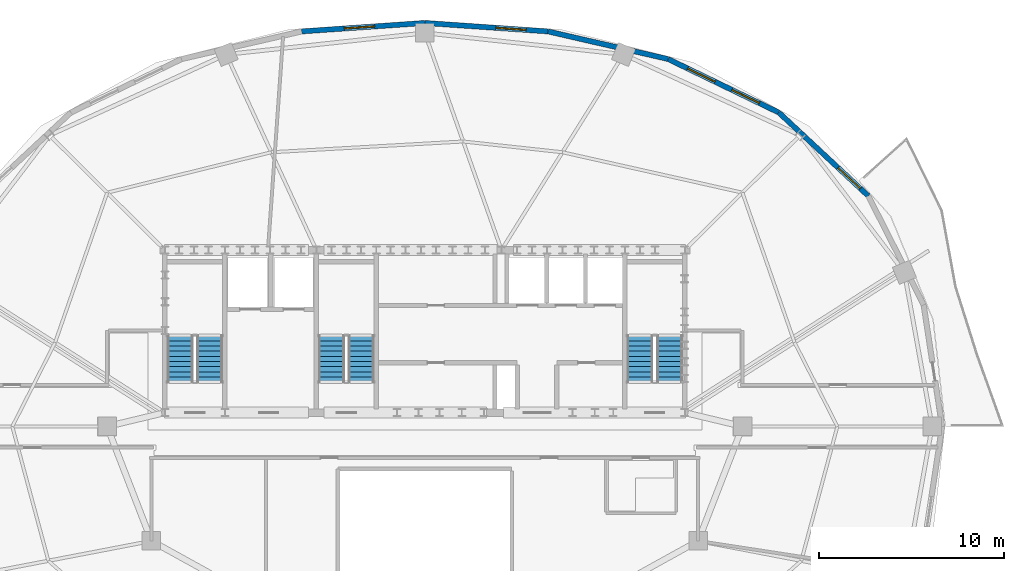
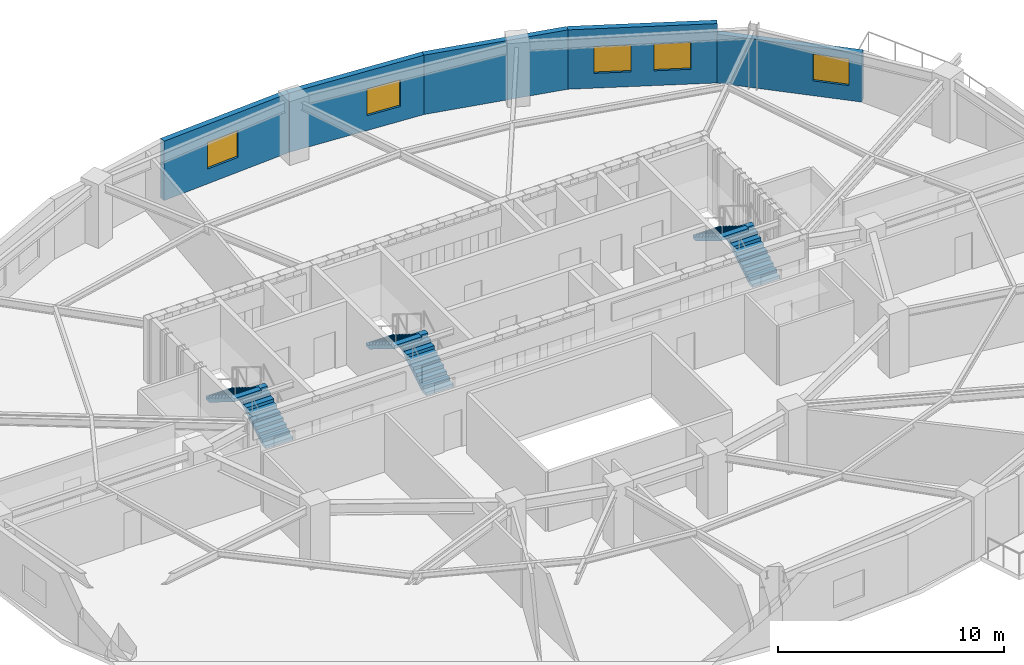
# One storey, part 6 of 11: 6 stair flights, 5 walls, 5 windows, 5 openings, 3 elements without a shape of their own.
"""IFC4 building model written with IfcOpenShell, lengths in metres."""

from ifc_helpers import new_model, si_unit, direction, frame, frame_2d, origin, place, context, subcontext, project, spatial, polyline, rectangle, outline, extrude, material, layer, layer_set, type_object, element, fill, aggregate, save


model = new_model("IFC4")

# Units and contexts
model_context = context("Model", 3, precision=1e-05, world=origin(), true_north=direction((0.0, 1.0)))
body_context = subcontext(model_context, "Body", "Model", "MODEL_VIEW")
ifc_project = project(units=[si_unit("LENGTHUNIT", "METRE"), si_unit("AREAUNIT", "SQUARE_METRE"), si_unit("VOLUMEUNIT", "CUBIC_METRE"), si_unit("PLANEANGLEUNIT", "RADIAN"), si_unit("MASSUNIT", "GRAM", prefix="KILO")], contexts=[model_context])

# Site, building, storey
site_placement = place(None, origin())
site = spatial("IfcSite", under=ifc_project, at=site_placement, CompositionType="ELEMENT")
building_placement = place(site_placement, origin())
building = spatial("IfcBuilding", under=site, at=building_placement, Name="Haldorwick Loom Tower", CompositionType="ELEMENT")
storey_placement = place(building_placement, frame((0.0, 0.0, 230.550048828125)))
storey = spatial("IfcBuildingStorey", under=building, at=storey_placement, Name="L62", CompositionType="ELEMENT", Elevation=230.550048828125)

# Wall, opening, window
ifc_material_1 = material(Name="Pressed Clay Face Brick and Insulated Masonry Backup Assembly", Category="masonry")
ifc_layer = layer(ifc_material_1, 0.280029296875, Name="Pressed Clay Face Brick and Insulated Masonry Backup Assembly", Category="masonry")
ifc_layer_set = layer_set([ifc_layer], Name="Pressed Clay Face Brick and Insulated Masonry Backup Assembly")
wall_type = type_object("IfcWallType", Name="ARC-WL-EXT280", PredefinedType="STANDARD", material=ifc_layer_set)
wall_1_placement = place(storey_placement, frame((60.005615234375, 38.4853515625, 0.0), z_axis=(0.0, 0.0, 1.0), x_axis=(-0.731833707499, 0.681483253329, 0.0)))
wall_1 = element("IfcWall", 1, at=wall_1_placement, inside=storey, type_object=wall_type, Name="L62 Brick Pier and Spandrel Wall 3", PredefinedType="STANDARD", context=body_context, shape_type="SweptSolid", body=[
    extrude(rectangle(XDim=6.61865234375, YDim=0.280029296875, at=frame_2d((3.309326171875, 0.0))), origin(), (0.0, 0.0, 1.0), 2.640869140625),
])
opening_1_placement = place(wall_1_placement, frame((0.58154296875, 0.0, 0.800048828125)))
opening_1 = element("IfcOpeningElement", 2, at=opening_1_placement, cuts=wall_1, Name="Opening W-01B", PredefinedType="OPENING", context=body_context, shape_type="SweptSolid", body=[
    extrude(rectangle(XDim=1.64990234375, YDim=1.449951171875, at=frame_2d((0.824951171875, 0.72509765625))), frame((0.0, 0.14990234375, 0.0), z_axis=(0.0, -1.0, 0.0), x_axis=(1.0, 0.0, 0.0)), (0.0, 0.0, 1.0), 0.300048828125),
])
ifc_material_2 = material(Name="Triple-Glazed Low-E Argon Insulated Glazing Unit", Category="glass")
window_type = type_object("IfcWindowType", Name="ARC-WIN-W165", PartitioningType="SINGLE_PANEL", PredefinedType="WINDOW", material=ifc_material_2)
window_1_placement = place(opening_1_placement, origin())
window_1 = element("IfcWindow", 3, at=window_1_placement, inside=storey, type_object=window_type, Name="L62 Deep-Set Zone 7A Window 3", OverallHeight=1.449951171875, OverallWidth=1.64990234375, PartitioningType="SINGLE_PANEL", PredefinedType="WINDOW", context=body_context, shape_type="SweptSolid", body=[
    extrude(rectangle(XDim=1.64990234375, YDim=1.449951171875, at=frame_2d((0.824951171875, 0.72509765625))), frame((0.0, 0.030029296875, 0.0), z_axis=(0.0, -1.0, 0.0), x_axis=(1.0, 0.0, 0.0)), (0.0, 0.0, 1.0), 0.06005859375),
])
fill(opening_1, window_1)

# Wall, openings, windows
wall_2_placement = place(storey_placement, frame((55.161865234375, 42.995849609375, 0.0), z_axis=(0.0, 0.0, 1.0), x_axis=(-0.900371236029, 0.435122554381, 0.0)))
wall_2 = element("IfcWall", 4, at=wall_2_placement, inside=storey, type_object=wall_type, Name="L62 Brick Pier and Spandrel Wall 4", PredefinedType="STANDARD", context=body_context, shape_type="SweptSolid", body=[
    extrude(rectangle(XDim=6.6533203125, YDim=0.280029296875, at=frame_2d((3.32666015625, 0.0))), origin(), (0.0, 0.0, 1.0), 3.2099609375),
])
opening_2_placement = place(wall_2_placement, frame((1.1708984375, 0.0, 0.800048828125)))
opening_2 = element("IfcOpeningElement", 5, at=opening_2_placement, cuts=wall_2, Name="Opening W-01B", PredefinedType="OPENING", context=body_context, shape_type="SweptSolid", body=[
    extrude(rectangle(XDim=1.64990234375, YDim=1.449951171875, at=frame_2d((0.824951171875, 0.72509765625))), frame((0.0, 0.14990234375, 0.0), z_axis=(0.0, -1.0, 0.0), x_axis=(1.0, 0.0, 0.0)), (0.0, 0.0, 1.0), 0.300048828125),
])
opening_3_placement = place(wall_2_placement, frame((3.832275390625, 0.0, 0.800048828125)))
opening_3 = element("IfcOpeningElement", 6, at=opening_3_placement, cuts=wall_2, Name="Opening W-01B", PredefinedType="OPENING", context=body_context, shape_type="SweptSolid", body=[
    extrude(rectangle(XDim=1.64990234375, YDim=1.449951171875, at=frame_2d((0.824951171875, 0.72509765625))), frame((0.0, 0.14990234375, 0.0), z_axis=(0.0, -1.0, 0.0), x_axis=(1.0, 0.0, 0.0)), (0.0, 0.0, 1.0), 0.300048828125),
])
window_2_placement = place(opening_2_placement, origin())
window_2 = element("IfcWindow", 7, at=window_2_placement, inside=storey, type_object=window_type, Name="L62 Deep-Set Zone 7A Window 4", OverallHeight=1.449951171875, OverallWidth=1.64990234375, PartitioningType="SINGLE_PANEL", PredefinedType="WINDOW", context=body_context, shape_type="SweptSolid", body=[
    extrude(rectangle(XDim=1.64990234375, YDim=1.449951171875, at=frame_2d((0.824951171875, 0.72509765625))), frame((0.0, 0.030029296875, 0.0), z_axis=(0.0, -1.0, 0.0), x_axis=(1.0, 0.0, 0.0)), (0.0, 0.0, 1.0), 0.06005859375),
])
fill(opening_2, window_2)
window_3_placement = place(opening_3_placement, origin())
window_3 = element("IfcWindow", 8, at=window_3_placement, inside=storey, type_object=window_type, Name="L62 Deep-Set Zone 7A Window 4", OverallHeight=1.449951171875, OverallWidth=1.64990234375, PartitioningType="SINGLE_PANEL", PredefinedType="WINDOW", context=body_context, shape_type="SweptSolid", body=[
    extrude(rectangle(XDim=1.64990234375, YDim=1.449951171875, at=frame_2d((0.824951171875, 0.72509765625))), frame((0.0, 0.030029296875, 0.0), z_axis=(0.0, -1.0, 0.0), x_axis=(1.0, 0.0, 0.0)), (0.0, 0.0, 1.0), 0.06005859375),
])
fill(opening_3, window_3)

# Wall
wall_3_placement = place(storey_placement, frame((49.17138671875, 45.890869140625, 0.0), z_axis=(0.0, 0.0, 1.0), x_axis=(-0.974557343474, 0.224138315065, 0.0)))
element("IfcWall", 9, at=wall_3_placement, inside=storey, type_object=wall_type, Name="L62 Brick Pier and Spandrel Wall 5", PredefinedType="STANDARD", context=body_context, shape_type="SweptSolid", body=[
    extrude(rectangle(XDim=6.676025390625, YDim=0.280029296875, at=frame_2d((3.337890625, 0.0))), origin(), (0.0, 0.0, 1.0), 3.2099609375),
])

# Wall, opening, window
wall_4_placement = place(storey_placement, frame((42.665283203125, 47.38720703125, 0.0), z_axis=(0.0, 0.0, 1.0), x_axis=(-0.99764992135, 0.068517402386, 0.0)))
wall_4 = element("IfcWall", 10, at=wall_4_placement, inside=storey, type_object=wall_type, Name="L62 Brick Pier and Spandrel Wall 6", PredefinedType="STANDARD", context=body_context, shape_type="SweptSolid", body=[
    extrude(rectangle(XDim=6.680908203125, YDim=0.280029296875, at=frame_2d((3.34033203125, 0.0))), origin(), (0.0, 0.0, 1.0), 3.2099609375),
])
opening_4_placement = place(wall_4_placement, frame((1.17919921875, 0.0, 0.800048828125)))
opening_4 = element("IfcOpeningElement", 11, at=opening_4_placement, cuts=wall_4, Name="Opening W-01B", PredefinedType="OPENING", context=body_context, shape_type="SweptSolid", body=[
    extrude(rectangle(XDim=1.64990234375, YDim=1.449951171875, at=frame_2d((0.824951171875, 0.72509765625))), frame((0.0, 0.14990234375, 0.0), z_axis=(0.0, -1.0, 0.0), x_axis=(1.0, 0.0, 0.0)), (0.0, 0.0, 1.0), 0.300048828125),
])
window_4_placement = place(opening_4_placement, origin())
window_4 = element("IfcWindow", 12, at=window_4_placement, inside=storey, type_object=window_type, Name="L62 Deep-Set Zone 7A Window 6", OverallHeight=1.449951171875, OverallWidth=1.64990234375, PartitioningType="SINGLE_PANEL", PredefinedType="WINDOW", context=body_context, shape_type="SweptSolid", body=[
    extrude(rectangle(XDim=1.64990234375, YDim=1.449951171875, at=frame_2d((0.824951171875, 0.72509765625))), frame((0.0, 0.030029296875, 0.0), z_axis=(0.0, -1.0, 0.0), x_axis=(1.0, 0.0, 0.0)), (0.0, 0.0, 1.0), 0.06005859375),
])
fill(opening_4, window_4)

wall_5_placement = place(storey_placement, frame((36.0, 47.844970703125, 0.0), z_axis=(0.0, 0.0, 1.0), x_axis=(-0.99764992135, -0.068517402386, 0.0)))
wall_5 = element("IfcWall", 13, at=wall_5_placement, inside=storey, type_object=wall_type, Name="L62 Brick Pier and Spandrel Wall 7", PredefinedType="STANDARD", context=body_context, shape_type="SweptSolid", body=[
    extrude(rectangle(XDim=6.680908203125, YDim=0.280029296875, at=frame_2d((3.34033203125, 0.0))), origin(), (0.0, 0.0, 1.0), 3.2099609375),
])
opening_5_placement = place(wall_5_placement, frame((2.72412109375, 0.0, 0.800048828125)))
opening_5 = element("IfcOpeningElement", 14, at=opening_5_placement, cuts=wall_5, Name="Opening W-01B", PredefinedType="OPENING", context=body_context, shape_type="SweptSolid", body=[
    extrude(rectangle(XDim=1.64990234375, YDim=1.449951171875, at=frame_2d((0.824951171875, 0.72509765625))), frame((0.0, 0.14990234375, 0.0), z_axis=(0.0, -1.0, 0.0), x_axis=(1.0, 0.0, 0.0)), (0.0, 0.0, 1.0), 0.300048828125),
])
window_5_placement = place(opening_5_placement, origin())
window_5 = element("IfcWindow", 15, at=window_5_placement, inside=storey, type_object=window_type, Name="L62 Deep-Set Zone 7A Window 7", OverallHeight=1.449951171875, OverallWidth=1.64990234375, PartitioningType="SINGLE_PANEL", PredefinedType="WINDOW", context=body_context, shape_type="SweptSolid", body=[
    extrude(rectangle(XDim=1.64990234375, YDim=1.449951171875, at=frame_2d((0.824951171875, 0.72509765625))), frame((0.0, 0.030029296875, 0.0), z_axis=(0.0, -1.0, 0.0), x_axis=(1.0, 0.0, 0.0)), (0.0, 0.0, 1.0), 0.06005859375),
])
fill(opening_5, window_5)

# Stair, stair flights
ifc_material_3 = material(Name="Concrete C40 (40 MPa)", Category="concrete")
stair_type = type_object("IfcStairType", Name="STR-STR-CORE", PredefinedType="HALF_TURN_STAIR", material=ifc_material_3)
stair_1_placement = place(storey_placement, origin())
stair_1 = element("IfcStair", 16, at=stair_1_placement, inside=storey, type_object=stair_type, Name="L62 Exit Stair ST-01", PredefinedType="HALF_TURN_STAIR")
stair_flight_type = type_object("IfcStairFlightType", Name="STR-STF-1250", PredefinedType="STRAIGHT", material=ifc_material_3)
stair_flight_1_placement = place(storey_placement, frame((24.35009765625, 28.39990234375, 0.0), z_axis=(0.0, 0.0, 1.0), x_axis=(0.0, 1.0, 0.0)))
stair_flight_1 = element("IfcStairFlight", 17, at=stair_flight_1_placement, type_object=stair_flight_type, Name="ST-01 flight 1", NumberOfRisers=10, NumberOfTreads=9, PredefinedType="STRAIGHT", RiserHeight=0.1725, TreadLength=0.28, context=body_context, shape_type="SweptSolid", body=[
    extrude(outline(polyline([(0.0, 0.0), (0.0, 0.172607421875), (0.280029296875, 0.172607421875), (0.280029296875, 0.344970703125), (0.56005859375, 0.344970703125), (0.56005859375, 0.517578125), (0.840087890625, 0.517578125), (0.840087890625, 0.68994140625), (1.1201171875, 0.68994140625), (1.1201171875, 0.862548828125), (1.39990234375, 0.862548828125), (1.39990234375, 1.034912109375), (1.679931640625, 1.034912109375), (1.679931640625, 1.20751953125), (1.9599609375, 1.20751953125), (1.9599609375, 1.3798828125), (2.239990234375, 1.3798828125), (2.239990234375, 1.552490234375), (2.52001953125, 1.552490234375), (2.52001953125, 1.72509765625), (2.52001953125, 1.37646484375), (0.285888671875, 0.0), (0.0, 0.0)])), frame((0.0, 0.699951171875, 0.0), z_axis=(0.0, -1.0, 0.0), x_axis=(1.0, 0.0, 0.0)), (0.0, 0.0, 1.0), 1.39990234375),
])
stair_flight_2_placement = place(storey_placement, frame((22.75, 30.919921875, 1.724853515625), z_axis=(0.0, 0.0, 1.0), x_axis=(0.0, -1.0, 0.0)))
stair_flight_2 = element("IfcStairFlight", 18, at=stair_flight_2_placement, type_object=stair_flight_type, Name="ST-01 flight 2", NumberOfRisers=10, NumberOfTreads=9, PredefinedType="STRAIGHT", RiserHeight=0.1725, TreadLength=0.28, context=body_context, shape_type="SweptSolid", body=[
    extrude(outline(polyline([(0.0, 0.0), (0.0, 0.172607421875), (0.280029296875, 0.172607421875), (0.280029296875, 0.344970703125), (0.56005859375, 0.344970703125), (0.56005859375, 0.517578125), (0.840087890625, 0.517578125), (0.840087890625, 0.68994140625), (1.1201171875, 0.68994140625), (1.1201171875, 0.862548828125), (1.39990234375, 0.862548828125), (1.39990234375, 1.034912109375), (1.679931640625, 1.034912109375), (1.679931640625, 1.20751953125), (1.9599609375, 1.20751953125), (1.9599609375, 1.3798828125), (2.239990234375, 1.3798828125), (2.239990234375, 1.552490234375), (2.52001953125, 1.552490234375), (2.52001953125, 1.72509765625), (2.52001953125, 1.37646484375), (0.285888671875, 0.0), (0.0, 0.0)])), frame((0.0, 0.699951171875, 0.0), z_axis=(0.0, -1.0, 0.0), x_axis=(1.0, 0.0, 0.0)), (0.0, 0.0, 1.0), 1.39990234375),
])
aggregate(stair_1, [stair_flight_1, stair_flight_2])

stair_2_placement = place(storey_placement, origin())
stair_2 = element("IfcStair", 19, at=stair_2_placement, inside=storey, type_object=stair_type, Name="L62 Exit Stair ST-02", PredefinedType="HALF_TURN_STAIR")
stair_flight_3_placement = place(storey_placement, frame((49.25, 28.39990234375, 0.0), z_axis=(0.0, 0.0, 1.0), x_axis=(0.0, 1.0, 0.0)))
stair_flight_3 = element("IfcStairFlight", 20, at=stair_flight_3_placement, type_object=stair_flight_type, Name="ST-02 flight 1", NumberOfRisers=10, NumberOfTreads=9, PredefinedType="STRAIGHT", RiserHeight=0.1725, TreadLength=0.28, context=body_context, shape_type="SweptSolid", body=[
    extrude(outline(polyline([(0.0, 0.0), (0.0, 0.172607421875), (0.280029296875, 0.172607421875), (0.280029296875, 0.344970703125), (0.56005859375, 0.344970703125), (0.56005859375, 0.517578125), (0.840087890625, 0.517578125), (0.840087890625, 0.68994140625), (1.1201171875, 0.68994140625), (1.1201171875, 0.862548828125), (1.39990234375, 0.862548828125), (1.39990234375, 1.034912109375), (1.679931640625, 1.034912109375), (1.679931640625, 1.20751953125), (1.9599609375, 1.20751953125), (1.9599609375, 1.3798828125), (2.239990234375, 1.3798828125), (2.239990234375, 1.552490234375), (2.52001953125, 1.552490234375), (2.52001953125, 1.72509765625), (2.52001953125, 1.37646484375), (0.285888671875, 0.0), (0.0, 0.0)])), frame((0.0, 0.699951171875, 0.0), z_axis=(0.0, -1.0, 0.0), x_axis=(1.0, 0.0, 0.0)), (0.0, 0.0, 1.0), 1.39990234375),
])
stair_flight_4_placement = place(storey_placement, frame((47.64990234375, 30.919921875, 1.724853515625), z_axis=(0.0, 0.0, 1.0), x_axis=(0.0, -1.0, 0.0)))
stair_flight_4 = element("IfcStairFlight", 21, at=stair_flight_4_placement, type_object=stair_flight_type, Name="ST-02 flight 2", NumberOfRisers=10, NumberOfTreads=9, PredefinedType="STRAIGHT", RiserHeight=0.1725, TreadLength=0.28, context=body_context, shape_type="SweptSolid", body=[
    extrude(outline(polyline([(0.0, 0.0), (0.0, 0.172607421875), (0.280029296875, 0.172607421875), (0.280029296875, 0.344970703125), (0.56005859375, 0.344970703125), (0.56005859375, 0.517578125), (0.840087890625, 0.517578125), (0.840087890625, 0.68994140625), (1.1201171875, 0.68994140625), (1.1201171875, 0.862548828125), (1.39990234375, 0.862548828125), (1.39990234375, 1.034912109375), (1.679931640625, 1.034912109375), (1.679931640625, 1.20751953125), (1.9599609375, 1.20751953125), (1.9599609375, 1.3798828125), (2.239990234375, 1.3798828125), (2.239990234375, 1.552490234375), (2.52001953125, 1.552490234375), (2.52001953125, 1.72509765625), (2.52001953125, 1.37646484375), (0.285888671875, 0.0), (0.0, 0.0)])), frame((0.0, 0.699951171875, 0.0), z_axis=(0.0, -1.0, 0.0), x_axis=(1.0, 0.0, 0.0)), (0.0, 0.0, 1.0), 1.39990234375),
])
aggregate(stair_2, [stair_flight_3, stair_flight_4])

stair_3_placement = place(storey_placement, origin())
stair_3 = element("IfcStair", 22, at=stair_3_placement, inside=storey, type_object=stair_type, Name="L62 Exit Stair ST-03", PredefinedType="HALF_TURN_STAIR")
stair_flight_5_placement = place(storey_placement, frame((32.550048828125, 28.39990234375, 0.0), z_axis=(0.0, 0.0, 1.0), x_axis=(0.0, 1.0, 0.0)))
stair_flight_5 = element("IfcStairFlight", 23, at=stair_flight_5_placement, type_object=stair_flight_type, Name="ST-03 flight 1", NumberOfRisers=10, NumberOfTreads=9, PredefinedType="STRAIGHT", RiserHeight=0.1725, TreadLength=0.28, context=body_context, shape_type="SweptSolid", body=[
    extrude(outline(polyline([(0.0, 0.0), (0.0, 0.172607421875), (0.280029296875, 0.172607421875), (0.280029296875, 0.344970703125), (0.56005859375, 0.344970703125), (0.56005859375, 0.517578125), (0.840087890625, 0.517578125), (0.840087890625, 0.68994140625), (1.1201171875, 0.68994140625), (1.1201171875, 0.862548828125), (1.39990234375, 0.862548828125), (1.39990234375, 1.034912109375), (1.679931640625, 1.034912109375), (1.679931640625, 1.20751953125), (1.9599609375, 1.20751953125), (1.9599609375, 1.3798828125), (2.239990234375, 1.3798828125), (2.239990234375, 1.552490234375), (2.52001953125, 1.552490234375), (2.52001953125, 1.72509765625), (2.52001953125, 1.37646484375), (0.285888671875, 0.0), (0.0, 0.0)])), frame((0.0, 0.699951171875, 0.0), z_axis=(0.0, -1.0, 0.0), x_axis=(1.0, 0.0, 0.0)), (0.0, 0.0, 1.0), 1.39990234375),
])
stair_flight_6_placement = place(storey_placement, frame((30.949951171875, 30.919921875, 1.724853515625), z_axis=(0.0, 0.0, 1.0), x_axis=(0.0, -1.0, 0.0)))
stair_flight_6 = element("IfcStairFlight", 24, at=stair_flight_6_placement, type_object=stair_flight_type, Name="ST-03 flight 2", NumberOfRisers=10, NumberOfTreads=9, PredefinedType="STRAIGHT", RiserHeight=0.1725, TreadLength=0.28, context=body_context, shape_type="SweptSolid", body=[
    extrude(outline(polyline([(0.0, 0.0), (0.0, 0.172607421875), (0.280029296875, 0.172607421875), (0.280029296875, 0.344970703125), (0.56005859375, 0.344970703125), (0.56005859375, 0.517578125), (0.840087890625, 0.517578125), (0.840087890625, 0.68994140625), (1.1201171875, 0.68994140625), (1.1201171875, 0.862548828125), (1.39990234375, 0.862548828125), (1.39990234375, 1.034912109375), (1.679931640625, 1.034912109375), (1.679931640625, 1.20751953125), (1.9599609375, 1.20751953125), (1.9599609375, 1.3798828125), (2.239990234375, 1.3798828125), (2.239990234375, 1.552490234375), (2.52001953125, 1.552490234375), (2.52001953125, 1.72509765625), (2.52001953125, 1.37646484375), (0.285888671875, 0.0), (0.0, 0.0)])), frame((0.0, 0.699951171875, 0.0), z_axis=(0.0, -1.0, 0.0), x_axis=(1.0, 0.0, 0.0)), (0.0, 0.0, 1.0), 1.39990234375),
])
aggregate(stair_3, [stair_flight_5, stair_flight_6])

save(model, "model.ifc")
